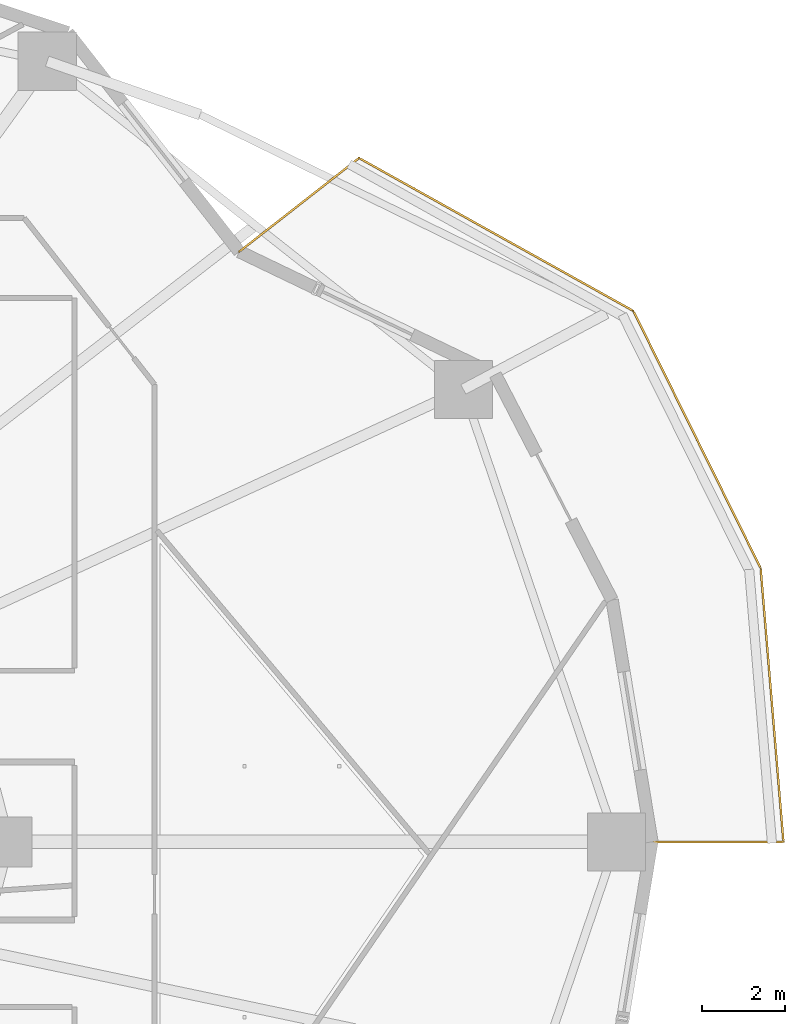
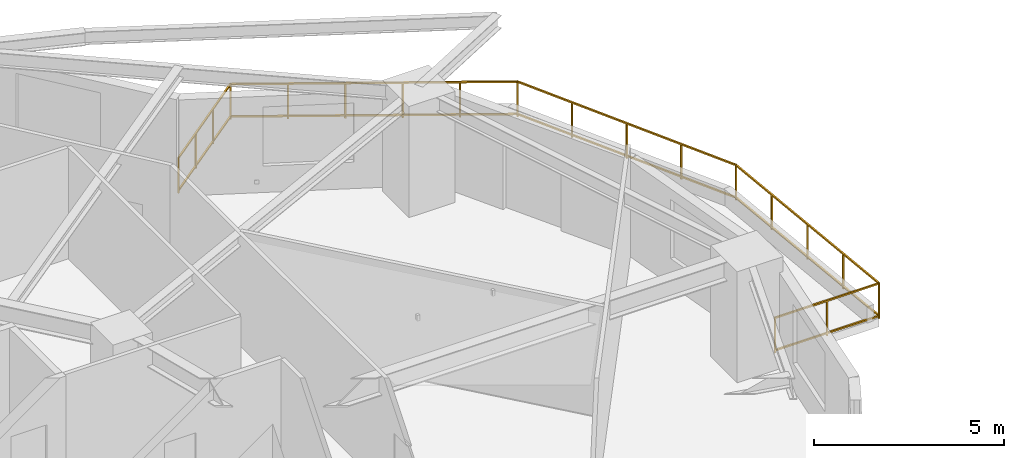
# One storey, part 15 of 16: 1 railing.
"""IFC4 building model written with IfcOpenShell, lengths in metres."""

import ifcopenshell
import ifcopenshell.guid

model = None  # the IFC model being written
_history = None  # IfcOwnerHistory: only IFC2X3 demands one
_inside = {}  # id of a spatial element -> (the spatial element, [elements in it])
_under = {}  # id of a project, library or spatial element -> (it, [spatial elements below it])
_declared = {}  # id of a project -> (the project, [libraries it declares])
_typed = {}  # id of a type object -> (the type object, [elements of that type])
_made_of = {}  # id of a material, layer set ... -> (it, [elements and type objects made of it])


def new_model(schema):
    """Start an empty IFC model of exactly this schema.

    Asked for "IFC4X3", IfcOpenShell would pick the latest addendum, in which some entities
    have other attributes; the version numbers below select the first issue.
    IFC2X3 requires an IfcOwnerHistory on every rooted entity: one is made here for all.
    """
    global model, _history
    if schema == "IFC4X3":
        model = ifcopenshell.file(schema_version=(4, 3, 0, 0))
    else:
        model = ifcopenshell.file(schema=schema)
    _inside.clear()
    _under.clear()
    _declared.clear()
    _typed.clear()
    _made_of.clear()
    _history = None
    if model.schema == "IFC2X3":
        org = make("IfcOrganization", Name="unknown")
        user = make(
            "IfcPersonAndOrganization",
            ThePerson=make("IfcPerson", FamilyName="unknown"),
            TheOrganization=org,
        )
        app = make(
            "IfcApplication",
            ApplicationDeveloper=org,
            Version="unknown",
            ApplicationFullName="unknown",
            ApplicationIdentifier="unknown",
        )
        _history = make(
            "IfcOwnerHistory",
            OwningUser=user,
            OwningApplication=app,
            ChangeAction="ADDED",
            CreationDate=0,
        )
    return model


def make(cls, **values):
    """One entity of the class cls with the attributes given. An attribute that is None is left unset."""
    return model.create_entity(
        cls, **{name: value for name, value in values.items() if value is not None}
    )


def rooted(cls, **values):
    """An entity with a GlobalId (a new one), such as an element, a storey or a relation."""
    return make(cls, GlobalId=ifcopenshell.guid.new(), OwnerHistory=_history, **values)


def si_unit(unit_type, name, prefix=None):
    """IfcSIUnit, for example si_unit("LENGTHUNIT", "METRE", prefix="MILLI")."""
    return make("IfcSIUnit", UnitType=unit_type, Prefix=prefix, Name=name)


def assignment(units):
    """IfcUnitAssignment: the units of a project."""
    return None if units is None else make("IfcUnitAssignment", Units=units)


def point(xyz):
    """IfcCartesianPoint."""
    return None if xyz is None else make("IfcCartesianPoint", Coordinates=xyz)


def direction(xyz):
    """IfcDirection."""
    return None if xyz is None else make("IfcDirection", DirectionRatios=xyz)


def frame(location, z_axis=None, x_axis=None):
    """IfcAxis2Placement3D, a coordinate frame: its origin and axes. An axis left out is left unset."""
    return make(
        "IfcAxis2Placement3D",
        Location=point(location),
        Axis=direction(z_axis),
        RefDirection=direction(x_axis),
    )


def frame_2d(location, x_axis=None):
    """IfcAxis2Placement2D, a coordinate frame in the plane: its origin and x axis."""
    return make(
        "IfcAxis2Placement2D", Location=point(location), RefDirection=direction(x_axis)
    )


def origin():
    """The frame at (0, 0, 0) with its axes left unset."""
    return frame((0.0, 0.0, 0.0))


def origin_2d():
    """The frame at (0, 0) in the plane with its x axis left unset."""
    return frame_2d((0.0, 0.0))


def place(relative_to, where):
    """IfcLocalPlacement: puts the frame where relative to a parent placement (None: the world)."""
    return make(
        "IfcLocalPlacement", PlacementRelTo=relative_to, RelativePlacement=where
    )


def context(
    kind, dimensions, precision=None, world=None, true_north=None, identifier=None
):
    """IfcGeometricRepresentationContext, for example the 3D "Model" context."""
    return make(
        "IfcGeometricRepresentationContext",
        ContextIdentifier=identifier,
        ContextType=kind,
        CoordinateSpaceDimension=dimensions,
        Precision=precision,
        WorldCoordinateSystem=world,
        TrueNorth=true_north,
    )


def subcontext(parent, identifier, kind, view, scale=None):
    """IfcGeometricRepresentationSubContext, for example "Body" below "Model"."""
    return make(
        "IfcGeometricRepresentationSubContext",
        ContextIdentifier=identifier,
        ContextType=kind,
        ParentContext=parent,
        TargetScale=scale,
        TargetView=view,
    )


def project(units=None, contexts=None):
    """IfcProject with its units and contexts."""
    return rooted(
        "IfcProject",
        Name="project",
        RepresentationContexts=contexts,
        UnitsInContext=assignment(units),
    )


def spatial(cls, under=None, at=None, **own):
    """A site, building, storey or space (cls), placed at a placement, below another one or the project."""
    s = rooted(cls, ObjectPlacement=at, **own)
    if under is not None:
        _under.setdefault(under.id(), (under, []))[1].append(s)
    return s


def profile(cls, at=None, kind="AREA", **sizes):
    """A parametric profile (cls). Its sizes go by their IFC names, for example OverallWidth=200.0."""
    return make(cls, ProfileType=kind, Position=at, **sizes)


def rectangle(**sizes):
    """IfcRectangleProfileDef."""
    return profile("IfcRectangleProfileDef", **sizes)


def extrude(swept, where, along, depth):
    """IfcExtrudedAreaSolid: the profile swept, set in the frame where, extruded along a direction by depth."""
    return make(
        "IfcExtrudedAreaSolid",
        SweptArea=swept,
        Position=where,
        ExtrudedDirection=direction(along),
        Depth=depth,
    )


def shape(context_of_items, identifier, shape_type, items):
    """IfcShapeRepresentation: the items that make up one representation, for example the "Body"."""
    return make(
        "IfcShapeRepresentation",
        ContextOfItems=context_of_items,
        RepresentationIdentifier=identifier,
        RepresentationType=shape_type,
        Items=items,
    )


def material(Name=None, Category=None):
    """IfcMaterial."""
    return make("IfcMaterial", Name=Name, Category=Category)


def made_of(thing, what):
    """Note that an element or type object is made of a material, layer set ...; save() writes the relation."""
    if what is not None:
        _made_of.setdefault(what.id(), (what, []))[1].append(thing)
    return thing


def type_object(cls, material=None, **own):
    """A type object (cls), such as IfcWallType, which elements share."""
    return made_of(rooted(cls, **own), material)


def element(
    cls,
    number,
    at=None,
    inside=None,
    cuts=None,
    type_object=None,
    material=None,
    context=None,
    identifier="Body",
    shape_type=None,
    held_by="IfcProductDefinitionShape",
    body=None,
    shapes=None,
    **own,
):
    """One element of the class cls, such as IfcWall. Its Tag is "e" and its number.

    at: its placement. inside: the storey or other place that contains it. cuts: it is an
    opening in that element (IfcRelVoidsElement). A single representation is given by context,
    identifier, shape_type and body (its items); several are given by shapes. held_by: the class
    of the entity that holds the representations. save() writes the other relations.
    """
    e = rooted(cls, Tag="e%d" % number, ObjectPlacement=at, **own)
    if body is not None:
        shapes = [shape(context, identifier, shape_type, body)]
    if shapes is not None:
        e.Representation = make(held_by, Representations=shapes)
    if inside is not None:
        _inside.setdefault(inside.id(), (inside, []))[1].append(e)
    if cuts is not None:
        rooted(
            "IfcRelVoidsElement", RelatingBuildingElement=cuts, RelatedOpeningElement=e
        )
    if type_object is not None:
        _typed.setdefault(type_object.id(), (type_object, []))[1].append(e)
    return made_of(e, material)


def aggregate(whole, parts):
    """IfcRelAggregates: a whole, such as a stair, and the parts it consists of."""
    return rooted("IfcRelAggregates", RelatingObject=whole, RelatedObjects=parts)


def save(model, path):
    """Write the relations noted so far, then the file.

    IfcRelAggregates (storeys below a building ...), IfcRelContainedInSpatialStructure (elements
    in a storey), IfcRelDefinesByType, IfcRelAssociatesMaterial and IfcRelDeclares: one each for
    every whole, place, type object, material and project.
    """
    for whole, parts in _under.values():
        aggregate(whole, parts)
    for where, things in _inside.values():
        rooted(
            "IfcRelContainedInSpatialStructure",
            RelatedElements=things,
            RelatingStructure=where,
        )
    for kind, things in _typed.values():
        rooted("IfcRelDefinesByType", RelatedObjects=things, RelatingType=kind)
    for what, things in _made_of.values():
        rooted("IfcRelAssociatesMaterial", RelatedObjects=things, RelatingMaterial=what)
    for by, libraries in _declared.values():
        rooted("IfcRelDeclares", RelatingContext=by, RelatedDefinitions=libraries)
    model.write(path)


model = new_model("IFC4")

# Units and contexts
model_context = context("Model", 3, precision=1e-05, world=origin(), true_north=direction((0.0, 1.0)))
body_context = subcontext(model_context, "Body", "Model", "MODEL_VIEW")
ifc_project = project(units=[si_unit("LENGTHUNIT", "METRE"), si_unit("AREAUNIT", "SQUARE_METRE"), si_unit("VOLUMEUNIT", "CUBIC_METRE"), si_unit("PLANEANGLEUNIT", "RADIAN"), si_unit("MASSUNIT", "GRAM", prefix="KILO")], contexts=[model_context])

# Site, building, storey
site_placement = place(None, origin())
site = spatial("IfcSite", under=ifc_project, at=site_placement, CompositionType="ELEMENT")
building_placement = place(site_placement, origin())
building = spatial("IfcBuilding", under=site, at=building_placement, Name="Kolvaren Gate Tower and Convention Centre", CompositionType="ELEMENT")
storey_placement = place(building_placement, frame((0.0, 0.0, 34.199951171875)))
storey = spatial("IfcBuildingStorey", under=building, at=storey_placement, Name="L07", CompositionType="ELEMENT", Elevation=34.199951171875)

# Railing
ifc_material = material(Name="Brushed Stainless Steel Grade 316L", Category="steel")
railing_type = type_object("IfcRailingType", Name="ARCH-RL-GUARD-1150", PredefinedType="GUARDRAIL", material=ifc_material)
railing_placement = place(storey_placement, frame((58.25, 27.0, 0.0)))
element("IfcRailing", 1, at=railing_placement, inside=storey, type_object=railing_type, Name="Tower L07 Terrace Perimeter Guardrail GR-1", PredefinedType="GUARDRAIL", context=body_context, shape_type="SweptSolid", body=[
    extrude(rectangle(XDim=0.048095703125, YDim=0.048095703125, at=origin_2d()), frame((0.028076171875, 0.0, 1.1259765625), z_axis=(1.0, 0.0, 0.0), x_axis=(0.0, 1.0, 0.0)), (0.0, 0.0, 1.0), 3.11376953125),
    extrude(rectangle(XDim=0.048095703125, YDim=0.048095703125, at=origin_2d()), frame((0.028076171875, 0.0, 0.083984375), z_axis=(1.0, 0.0, 0.0), x_axis=(0.0, 1.0, 0.0)), (0.0, 0.0, 1.0), 3.11376953125),
    extrude(rectangle(XDim=0.048095703125, YDim=0.048095703125, at=origin_2d()), frame((3.16748046875, 0.02783203125, 1.1259765625), z_axis=(-0.083097416422, 0.996541428835, 0.0), x_axis=(-0.996541428835, -0.083097416422, 0.0)), (0.0, 0.0, 1.0), 6.557373046875),
    extrude(rectangle(XDim=0.048095703125, YDim=0.048095703125, at=origin_2d()), frame((3.16748046875, 0.02783203125, 0.083984375), z_axis=(-0.083097416422, 0.996541428835, 0.0), x_axis=(-0.996541428835, -0.083097416422, 0.0)), (0.0, 0.0, 1.0), 6.557373046875),
    extrude(rectangle(XDim=0.048095703125, YDim=0.048095703125, at=origin_2d()), frame((2.60791015625, 6.61572265625, 1.1259765625), z_axis=(-0.443578479433, 0.8962355341, 0.0), x_axis=(-0.8962355341, -0.443578479433, 0.0)), (0.0, 0.0, 1.0), 6.855224609375),
    extrude(rectangle(XDim=0.048095703125, YDim=0.048095703125, at=origin_2d()), frame((2.60791015625, 6.61572265625, 0.083984375), z_axis=(-0.443578479433, 0.8962355341, 0.0), x_axis=(-0.8962355341, -0.443578479433, 0.0)), (0.0, 0.0, 1.0), 6.855224609375),
    extrude(rectangle(XDim=0.048095703125, YDim=0.048095703125, at=origin_2d()), frame((-0.4697265625, 12.79833984375, 1.1259765625), z_axis=(-0.873486390754, 0.486848564923, 0.0), x_axis=(-0.486848564923, -0.873486390754, 0.0)), (0.0, 0.0, 1.0), 7.506103515625),
    extrude(rectangle(XDim=0.048095703125, YDim=0.048095703125, at=origin_2d()), frame((-0.4697265625, 12.79833984375, 0.083984375), z_axis=(-0.873486390754, 0.486848564923, 0.0), x_axis=(-0.486848564923, -0.873486390754, 0.0)), (0.0, 0.0, 1.0), 7.506103515625),
    extrude(rectangle(XDim=0.048095703125, YDim=0.048095703125, at=origin_2d()), frame((-7.072998046875, 16.448974609375, 1.1259765625), z_axis=(-0.787988976981, -0.61568934712, 0.0), x_axis=(0.61568934712, -0.787988976981, 0.0)), (0.0, 0.0, 1.0), 3.60400390625),
    extrude(rectangle(XDim=0.048095703125, YDim=0.048095703125, at=origin_2d()), frame((-7.072998046875, 16.448974609375, 0.083984375), z_axis=(-0.787988976981, -0.61568934712, 0.0), x_axis=(0.61568934712, -0.787988976981, 0.0)), (0.0, 0.0, 1.0), 3.60400390625),
    extrude(rectangle(XDim=0.0419921875, YDim=0.0419921875, at=origin_2d()), origin(), (0.0, 0.0, 1.0), 1.14990234375),
    extrude(rectangle(XDim=0.0419921875, YDim=0.0419921875, at=origin_2d()), frame((3.169921875, 0.0, 0.0)), (0.0, 0.0, 1.0), 1.14990234375),
    extrude(rectangle(XDim=0.0419921875, YDim=0.0419921875, at=origin_2d()), frame((1.5849609375, 0.0, 0.0)), (0.0, 0.0, 1.0), 1.099853515625),
    extrude(rectangle(XDim=0.0419921875, YDim=0.0419921875, at=origin_2d()), frame((2.620361328125, 6.590576171875, 0.0)), (0.0, 0.0, 1.0), 1.14990234375),
    extrude(rectangle(XDim=0.0419921875, YDim=0.0419921875, at=origin_2d()), frame((3.032470703125, 1.647705078125, 0.0)), (0.0, 0.0, 1.0), 1.099853515625),
    extrude(rectangle(XDim=0.0419921875, YDim=0.0419921875, at=origin_2d()), frame((2.89501953125, 3.29541015625, 0.0)), (0.0, 0.0, 1.0), 1.099853515625),
    extrude(rectangle(XDim=0.0419921875, YDim=0.0419921875, at=origin_2d()), frame((2.7578125, 4.94287109375, 0.0)), (0.0, 0.0, 1.0), 1.099853515625),
    extrude(rectangle(XDim=0.0419921875, YDim=0.0419921875, at=origin_2d()), frame((-0.4453125, 12.78466796875, 0.0)), (0.0, 0.0, 1.0), 1.14990234375),
    extrude(rectangle(XDim=0.0419921875, YDim=0.0419921875, at=origin_2d()), frame((1.85400390625, 8.13916015625, 0.0)), (0.0, 0.0, 1.0), 1.099853515625),
    extrude(rectangle(XDim=0.0419921875, YDim=0.0419921875, at=origin_2d()), frame((1.08740234375, 9.6875, 0.0)), (0.0, 0.0, 1.0), 1.099853515625),
    extrude(rectangle(XDim=0.0419921875, YDim=0.0419921875, at=origin_2d()), frame((0.321044921875, 11.236083984375, 0.0)), (0.0, 0.0, 1.0), 1.099853515625),
    extrude(rectangle(XDim=0.0419921875, YDim=0.0419921875, at=origin_2d()), frame((-7.05078125, 16.46630859375, 0.0)), (0.0, 0.0, 1.0), 1.14990234375),
    extrude(rectangle(XDim=0.0419921875, YDim=0.0419921875, at=origin_2d()), frame((-1.766357421875, 13.52099609375, 0.0)), (0.0, 0.0, 1.0), 1.099853515625),
    extrude(rectangle(XDim=0.0419921875, YDim=0.0419921875, at=origin_2d()), frame((-3.08740234375, 14.25732421875, 0.0)), (0.0, 0.0, 1.0), 1.099853515625),
    extrude(rectangle(XDim=0.0419921875, YDim=0.0419921875, at=origin_2d()), frame((-4.40869140625, 14.99365234375, 0.0)), (0.0, 0.0, 1.0), 1.099853515625),
    extrude(rectangle(XDim=0.0419921875, YDim=0.0419921875, at=origin_2d()), frame((-5.729736328125, 15.72998046875, 0.0)), (0.0, 0.0, 1.0), 1.099853515625),
    extrude(rectangle(XDim=0.0419921875, YDim=0.0419921875, at=origin_2d()), frame((-9.934814453125, 14.212890625, 0.0)), (0.0, 0.0, 1.0), 1.14990234375),
    extrude(rectangle(XDim=0.0419921875, YDim=0.0419921875, at=origin_2d()), frame((-8.01220703125, 15.715087890625, 0.0)), (0.0, 0.0, 1.0), 1.099853515625),
    extrude(rectangle(XDim=0.0419921875, YDim=0.0419921875, at=origin_2d()), frame((-8.973388671875, 14.964111328125, 0.0)), (0.0, 0.0, 1.0), 1.099853515625),
])

save(model, "model.ifc")
